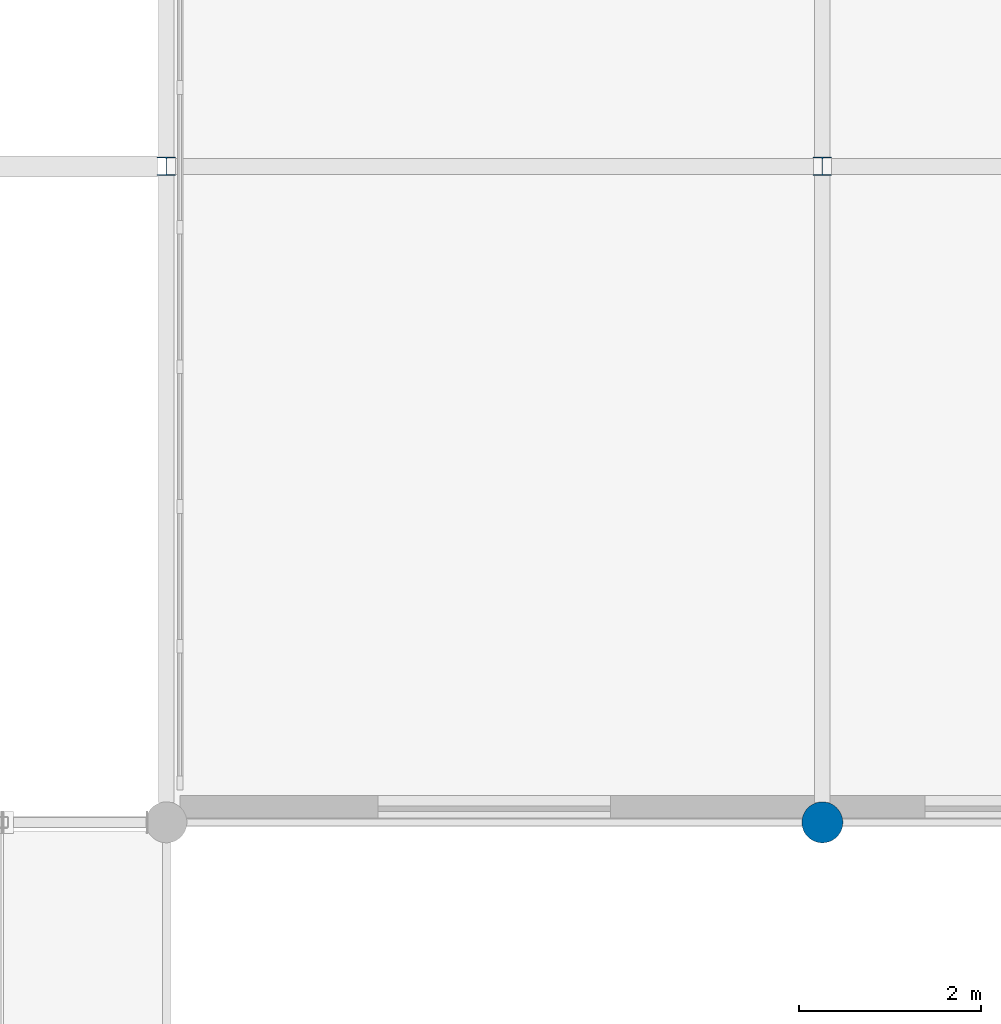
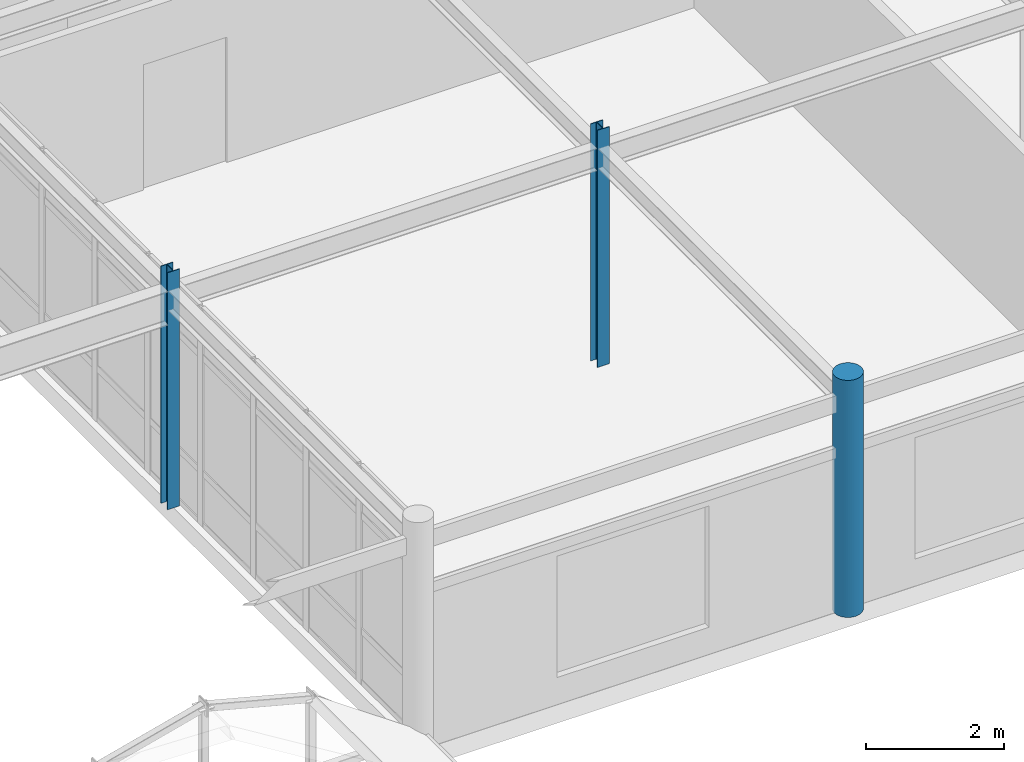
# One storey, part 6 of 85: 3 columns.
"""IFC4 building model written with IfcOpenShell, lengths in metres."""

from ifc_helpers import new_model, si_unit, direction, frame, origin, origin_2d, place, context, subcontext, project, spatial, circle, i_section, extrude, material, material_profile, profile_set, type_object, element, save


model = new_model("IFC4")

# Units and contexts
model_context = context("Model", 3, precision=1e-05, world=origin(), true_north=direction((0.0, 1.0)))
body_context = subcontext(model_context, "Body", "Model", "MODEL_VIEW")
ifc_project = project(units=[si_unit("LENGTHUNIT", "METRE"), si_unit("AREAUNIT", "SQUARE_METRE"), si_unit("VOLUMEUNIT", "CUBIC_METRE"), si_unit("PLANEANGLEUNIT", "RADIAN"), si_unit("MASSUNIT", "GRAM", prefix="KILO")], contexts=[model_context])

# Site, building, storey
site_placement = place(None, origin())
site = spatial("IfcSite", under=ifc_project, at=site_placement, CompositionType="ELEMENT")
building_placement = place(site_placement, origin())
building = spatial("IfcBuilding", under=site, at=building_placement, Name="Ochrevale Crest", CompositionType="ELEMENT")
storey_placement = place(building_placement, frame((0.0, 0.0, 4.5)))
storey = spatial("IfcBuildingStorey", under=building, at=storey_placement, Name="L01", CompositionType="ELEMENT", Elevation=4.5)

# Columns
ifc_material_1 = material(Name="Precast concrete C40/50", Category="concrete")
ifc_material_profile_1 = material_profile(ifc_material_1, circle(Radius=0.22509765625, at=origin_2d()), Name="RC D450")
ifc_profile_set_1 = profile_set([ifc_material_profile_1], Name="Precast concrete C40/50")
column_type_1 = type_object("IfcColumnType", Name="COL-RCD450", PredefinedType="COLUMN", material=ifc_profile_set_1)
column_placement = place(storey_placement, frame((93.60009765625, 7.199951171875, 0.0), z_axis=(0.0, 0.0, 1.0), x_axis=(1.0, 0.0, 0.0)))
element("IfcColumn", 1, at=column_placement, inside=storey, type_object=column_type_1, Name="Retail arcade L01 column (93.6,7.2)", PredefinedType="COLUMN", context=body_context, shape_type="SweptSolid", body=[
    extrude(circle(Radius=0.22509765625, at=origin_2d()), origin(), (0.0, 0.0, 1.0), 4.199951171875),
])
ifc_material_2 = material(Name="Steel S355", Category="steel")
ifc_material_profile_2 = material_profile(ifc_material_2, i_section(OverallWidth=0.203125, OverallDepth=0.203369140625, WebThickness=0.00732421875, FlangeThickness=0.010986328125, FilletRadius=0.01025390625, at=origin_2d()), Name="200UC46.2")
ifc_profile_set_2 = profile_set([ifc_material_profile_2], Name="Steel S355")
column_type_2 = type_object("IfcColumnType", Name="COL-UC200A", PredefinedType="COLUMN", material=ifc_profile_set_2)
for number, where, z_axis, x_axis, name in (
    (2, (86.39990234375, 14.39990234375, 0.0), (0.0, 0.0, 1.0), (1.0, 0.0, 0.0), "Retail arcade L01 column (86.4,14.4)"),
    (3, (93.60009765625, 14.39990234375, 0.0), (0.0, 0.0, 1.0), (1.0, 0.0, 0.0), "Retail arcade L01 column (93.6,14.4)"),
):
    element("IfcColumn", number, at=place(storey_placement, frame(where, z_axis=z_axis, x_axis=x_axis)), inside=storey, type_object=column_type_2, Name=name, PredefinedType="COLUMN", context=body_context, shape_type="SweptSolid", body=[
        extrude(i_section(OverallWidth=0.203125, OverallDepth=0.203369140625, WebThickness=0.00732421875, FlangeThickness=0.010986328125, FilletRadius=0.01025390625, at=origin_2d()), origin(), (0.0, 0.0, 1.0), 4.199951171875),
    ])

save(model, "model.ifc")
